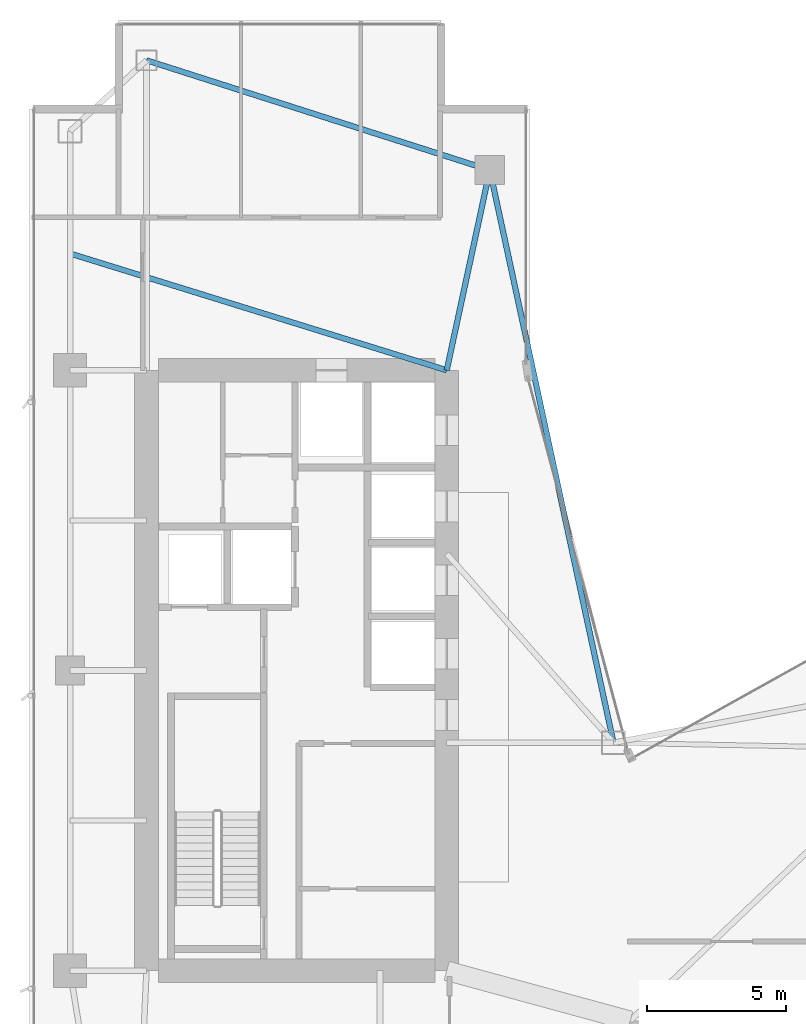
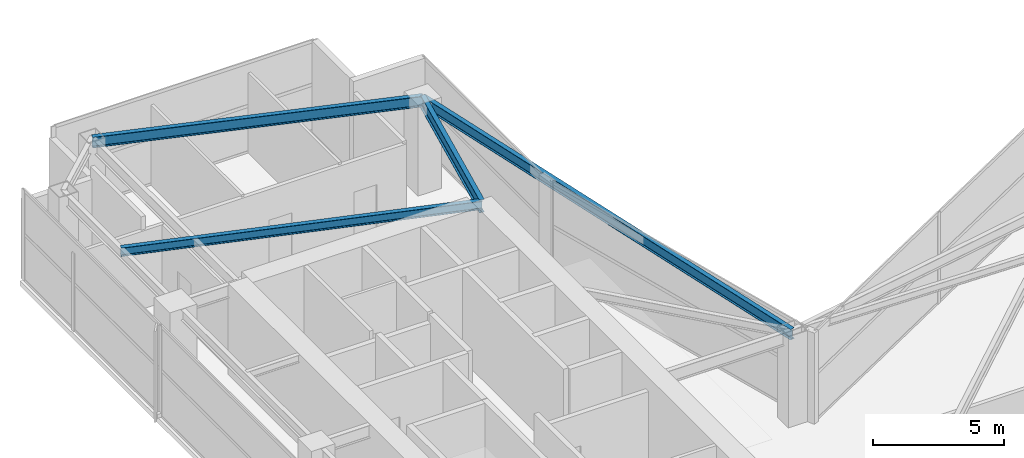
# One storey, part 16 of 26: 4 beams.
"""IFC4 building model written with IfcOpenShell, lengths in metres."""

import ifcopenshell
import ifcopenshell.guid

model = None  # the IFC model being written
_history = None  # IfcOwnerHistory: only IFC2X3 demands one
_inside = {}  # id of a spatial element -> (the spatial element, [elements in it])
_under = {}  # id of a project, library or spatial element -> (it, [spatial elements below it])
_declared = {}  # id of a project -> (the project, [libraries it declares])
_typed = {}  # id of a type object -> (the type object, [elements of that type])
_made_of = {}  # id of a material, layer set ... -> (it, [elements and type objects made of it])


def new_model(schema):
    """Start an empty IFC model of exactly this schema.

    Asked for "IFC4X3", IfcOpenShell would pick the latest addendum, in which some entities
    have other attributes; the version numbers below select the first issue.
    IFC2X3 requires an IfcOwnerHistory on every rooted entity: one is made here for all.
    """
    global model, _history
    if schema == "IFC4X3":
        model = ifcopenshell.file(schema_version=(4, 3, 0, 0))
    else:
        model = ifcopenshell.file(schema=schema)
    _inside.clear()
    _under.clear()
    _declared.clear()
    _typed.clear()
    _made_of.clear()
    _history = None
    if model.schema == "IFC2X3":
        org = make("IfcOrganization", Name="unknown")
        user = make(
            "IfcPersonAndOrganization",
            ThePerson=make("IfcPerson", FamilyName="unknown"),
            TheOrganization=org,
        )
        app = make(
            "IfcApplication",
            ApplicationDeveloper=org,
            Version="unknown",
            ApplicationFullName="unknown",
            ApplicationIdentifier="unknown",
        )
        _history = make(
            "IfcOwnerHistory",
            OwningUser=user,
            OwningApplication=app,
            ChangeAction="ADDED",
            CreationDate=0,
        )
    return model


def make(cls, **values):
    """One entity of the class cls with the attributes given. An attribute that is None is left unset."""
    return model.create_entity(
        cls, **{name: value for name, value in values.items() if value is not None}
    )


def rooted(cls, **values):
    """An entity with a GlobalId (a new one), such as an element, a storey or a relation."""
    return make(cls, GlobalId=ifcopenshell.guid.new(), OwnerHistory=_history, **values)


def si_unit(unit_type, name, prefix=None):
    """IfcSIUnit, for example si_unit("LENGTHUNIT", "METRE", prefix="MILLI")."""
    return make("IfcSIUnit", UnitType=unit_type, Prefix=prefix, Name=name)


def assignment(units):
    """IfcUnitAssignment: the units of a project."""
    return None if units is None else make("IfcUnitAssignment", Units=units)


def point(xyz):
    """IfcCartesianPoint."""
    return None if xyz is None else make("IfcCartesianPoint", Coordinates=xyz)


def direction(xyz):
    """IfcDirection."""
    return None if xyz is None else make("IfcDirection", DirectionRatios=xyz)


def frame(location, z_axis=None, x_axis=None):
    """IfcAxis2Placement3D, a coordinate frame: its origin and axes. An axis left out is left unset."""
    return make(
        "IfcAxis2Placement3D",
        Location=point(location),
        Axis=direction(z_axis),
        RefDirection=direction(x_axis),
    )


def frame_2d(location, x_axis=None):
    """IfcAxis2Placement2D, a coordinate frame in the plane: its origin and x axis."""
    return make(
        "IfcAxis2Placement2D", Location=point(location), RefDirection=direction(x_axis)
    )


def origin():
    """The frame at (0, 0, 0) with its axes left unset."""
    return frame((0.0, 0.0, 0.0))


def origin_2d():
    """The frame at (0, 0) in the plane with its x axis left unset."""
    return frame_2d((0.0, 0.0))


def place(relative_to, where):
    """IfcLocalPlacement: puts the frame where relative to a parent placement (None: the world)."""
    return make(
        "IfcLocalPlacement", PlacementRelTo=relative_to, RelativePlacement=where
    )


def context(
    kind, dimensions, precision=None, world=None, true_north=None, identifier=None
):
    """IfcGeometricRepresentationContext, for example the 3D "Model" context."""
    return make(
        "IfcGeometricRepresentationContext",
        ContextIdentifier=identifier,
        ContextType=kind,
        CoordinateSpaceDimension=dimensions,
        Precision=precision,
        WorldCoordinateSystem=world,
        TrueNorth=true_north,
    )


def subcontext(parent, identifier, kind, view, scale=None):
    """IfcGeometricRepresentationSubContext, for example "Body" below "Model"."""
    return make(
        "IfcGeometricRepresentationSubContext",
        ContextIdentifier=identifier,
        ContextType=kind,
        ParentContext=parent,
        TargetScale=scale,
        TargetView=view,
    )


def project(units=None, contexts=None):
    """IfcProject with its units and contexts."""
    return rooted(
        "IfcProject",
        Name="project",
        RepresentationContexts=contexts,
        UnitsInContext=assignment(units),
    )


def spatial(cls, under=None, at=None, **own):
    """A site, building, storey or space (cls), placed at a placement, below another one or the project."""
    s = rooted(cls, ObjectPlacement=at, **own)
    if under is not None:
        _under.setdefault(under.id(), (under, []))[1].append(s)
    return s


def profile(cls, at=None, kind="AREA", **sizes):
    """A parametric profile (cls). Its sizes go by their IFC names, for example OverallWidth=200.0."""
    return make(cls, ProfileType=kind, Position=at, **sizes)


def i_section(**sizes):
    """IfcIShapeProfileDef."""
    return profile("IfcIShapeProfileDef", **sizes)


def extrude(swept, where, along, depth):
    """IfcExtrudedAreaSolid: the profile swept, set in the frame where, extruded along a direction by depth."""
    return make(
        "IfcExtrudedAreaSolid",
        SweptArea=swept,
        Position=where,
        ExtrudedDirection=direction(along),
        Depth=depth,
    )


def shape(context_of_items, identifier, shape_type, items):
    """IfcShapeRepresentation: the items that make up one representation, for example the "Body"."""
    return make(
        "IfcShapeRepresentation",
        ContextOfItems=context_of_items,
        RepresentationIdentifier=identifier,
        RepresentationType=shape_type,
        Items=items,
    )


def material(Name=None, Category=None):
    """IfcMaterial."""
    return make("IfcMaterial", Name=Name, Category=Category)


def material_profile(
    of_material, cross_section, Name=None, Category=None, Priority=None
):
    """IfcMaterialProfile: a cross section and its material."""
    return make(
        "IfcMaterialProfile",
        Name=Name,
        Material=of_material,
        Profile=cross_section,
        Priority=Priority,
        Category=Category,
    )


def profile_set(profiles, Name=None, composite=None):
    """IfcMaterialProfileSet."""
    return make(
        "IfcMaterialProfileSet",
        Name=Name,
        MaterialProfiles=profiles,
        CompositeProfile=composite,
    )


def made_of(thing, what):
    """Note that an element or type object is made of a material, layer set ...; save() writes the relation."""
    if what is not None:
        _made_of.setdefault(what.id(), (what, []))[1].append(thing)
    return thing


def type_object(cls, material=None, **own):
    """A type object (cls), such as IfcWallType, which elements share."""
    return made_of(rooted(cls, **own), material)


def element(
    cls,
    number,
    at=None,
    inside=None,
    cuts=None,
    type_object=None,
    material=None,
    context=None,
    identifier="Body",
    shape_type=None,
    held_by="IfcProductDefinitionShape",
    body=None,
    shapes=None,
    **own,
):
    """One element of the class cls, such as IfcWall. Its Tag is "e" and its number.

    at: its placement. inside: the storey or other place that contains it. cuts: it is an
    opening in that element (IfcRelVoidsElement). A single representation is given by context,
    identifier, shape_type and body (its items); several are given by shapes. held_by: the class
    of the entity that holds the representations. save() writes the other relations.
    """
    e = rooted(cls, Tag="e%d" % number, ObjectPlacement=at, **own)
    if body is not None:
        shapes = [shape(context, identifier, shape_type, body)]
    if shapes is not None:
        e.Representation = make(held_by, Representations=shapes)
    if inside is not None:
        _inside.setdefault(inside.id(), (inside, []))[1].append(e)
    if cuts is not None:
        rooted(
            "IfcRelVoidsElement", RelatingBuildingElement=cuts, RelatedOpeningElement=e
        )
    if type_object is not None:
        _typed.setdefault(type_object.id(), (type_object, []))[1].append(e)
    return made_of(e, material)


def aggregate(whole, parts):
    """IfcRelAggregates: a whole, such as a stair, and the parts it consists of."""
    return rooted("IfcRelAggregates", RelatingObject=whole, RelatedObjects=parts)


def save(model, path):
    """Write the relations noted so far, then the file.

    IfcRelAggregates (storeys below a building ...), IfcRelContainedInSpatialStructure (elements
    in a storey), IfcRelDefinesByType, IfcRelAssociatesMaterial and IfcRelDeclares: one each for
    every whole, place, type object, material and project.
    """
    for whole, parts in _under.values():
        aggregate(whole, parts)
    for where, things in _inside.values():
        rooted(
            "IfcRelContainedInSpatialStructure",
            RelatedElements=things,
            RelatingStructure=where,
        )
    for kind, things in _typed.values():
        rooted("IfcRelDefinesByType", RelatedObjects=things, RelatingType=kind)
    for what, things in _made_of.values():
        rooted("IfcRelAssociatesMaterial", RelatedObjects=things, RelatingMaterial=what)
    for by, libraries in _declared.values():
        rooted("IfcRelDeclares", RelatingContext=by, RelatedDefinitions=libraries)
    model.write(path)


model = new_model("IFC4")

# Units and contexts
model_context = context("Model", 3, precision=1e-05, world=origin(), true_north=direction((0.0, 1.0)))
body_context = subcontext(model_context, "Body", "Model", "MODEL_VIEW")
ifc_project = project(units=[si_unit("LENGTHUNIT", "METRE"), si_unit("AREAUNIT", "SQUARE_METRE"), si_unit("VOLUMEUNIT", "CUBIC_METRE"), si_unit("PLANEANGLEUNIT", "RADIAN"), si_unit("MASSUNIT", "GRAM", prefix="KILO")], contexts=[model_context])

# Site, building, storey
site_placement = place(None, origin())
site = spatial("IfcSite", under=ifc_project, at=site_placement, CompositionType="ELEMENT")
building_placement = place(site_placement, origin())
building = spatial("IfcBuilding", under=site, at=building_placement, Name="Calvorn Quay Hotel", CompositionType="ELEMENT")
storey_placement = place(building_placement, frame((0.0, 0.0, 144.0)))
storey = spatial("IfcBuildingStorey", under=building, at=storey_placement, Name="L35", CompositionType="ELEMENT", Elevation=144.0)

# Beams
ifc_material_1 = material(Name="Steel Q355B", Category="steel")
ifc_material_profile_1 = material_profile(ifc_material_1, i_section(OverallWidth=0.199951171875, OverallDepth=0.60009765625, WebThickness=0.010986328125, FlangeThickness=0.01708984375, FilletRadius=0.01806640625, at=origin_2d()), Name="HN600x200x11x17")
ifc_profile_set_1 = profile_set([ifc_material_profile_1], Name="Steel Q355B")
beam_type_1 = type_object("IfcBeamType", Name="BM-GIRD-TYP", PredefinedType="BEAM", material=ifc_profile_set_1)
beam_1_placement = place(storey_placement, frame((16.550048828125, 45.60009765625, 3.93994140625), z_axis=(-0.210457140491, -0.97760308511, 0.0), x_axis=(0.97760308511, -0.210457140491, 0.0)))
element("IfcBeam", 1, at=beam_1_placement, inside=storey, type_object=beam_type_1, Name="Beam BG-L35-W6", PredefinedType="BEAM", context=body_context, shape_type="SweptSolid", body=[
    extrude(i_section(OverallWidth=0.199951171875, OverallDepth=0.60009765625, WebThickness=0.010986328125, FlangeThickness=0.01708984375, FilletRadius=0.01806640625, at=origin_2d()), origin(), (0.0, 0.0, 1.0), 7.365234375),
])
ifc_material_2 = material(Name="Steel Q355B", Category="steel")
ifc_material_profile_2 = material_profile(ifc_material_2, i_section(OverallWidth=0.199951171875, OverallDepth=0.39990234375, WebThickness=0.008056640625, FlangeThickness=0.012939453125, FilletRadius=0.01611328125, at=origin_2d()), Name="HN400x200x8x13")
ifc_profile_set_2 = profile_set([ifc_material_profile_2], Name="Steel Q355B")
beam_type_2 = type_object("IfcBeamType", Name="BM-JOIST-TYP", PredefinedType="JOIST", material=ifc_profile_set_2)
beam_2_placement = place(storey_placement, frame((1.449951171875, 42.60009765625, 4.0400390625), z_axis=(0.955163702122, -0.296078202759, 0.0), x_axis=(0.296078202759, 0.955163702122, 0.0)))
element("IfcBeam", 2, at=beam_2_placement, inside=storey, type_object=beam_type_2, Name="Beam BJ-L35-W2", PredefinedType="JOIST", context=body_context, shape_type="SweptSolid", body=[
    extrude(i_section(OverallWidth=0.199951171875, OverallDepth=0.39990234375, WebThickness=0.008056640625, FlangeThickness=0.012939453125, FilletRadius=0.01611328125, at=origin_2d()), origin(), (0.0, 0.0, 1.0), 14.18603515625),
])
ifc_material_3 = material(Name="Steel Q355B", Category="steel")
ifc_material_profile_3 = material_profile(ifc_material_3, i_section(OverallWidth=0.199951171875, OverallDepth=0.5, WebThickness=0.010009765625, FlangeThickness=0.01611328125, FilletRadius=0.01611328125, at=origin_2d()), Name="HN500x200x10x16")
ifc_profile_set_3 = profile_set([ifc_material_profile_3], Name="Steel Q355B")
beam_type_3 = type_object("IfcBeamType", Name="BM-SPANDREL-Z1", PredefinedType="SPANDREL", material=ifc_profile_set_3)
beam_3_placement = place(storey_placement, frame((4.199951171875, 49.550048828125, 3.989990234375), z_axis=(0.952470702374, -0.304630203885, 0.0), x_axis=(0.304630203885, 0.952470702374, 0.0)))
element("IfcBeam", 3, at=beam_3_placement, inside=storey, type_object=beam_type_3, Name="Beam BSP-L35-W6", PredefinedType="SPANDREL", context=body_context, shape_type="SweptSolid", body=[
    extrude(i_section(OverallWidth=0.199951171875, OverallDepth=0.5, WebThickness=0.010009765625, FlangeThickness=0.01611328125, FilletRadius=0.01611328125, at=origin_2d()), origin(), (0.0, 0.0, 1.0), 12.96630859375),
])
beam_4_placement = place(storey_placement, frame((16.550048828125, 45.60009765625, 3.989990234375), z_axis=(0.211145848376, -0.977454567084, 0.0), x_axis=(0.977454567084, 0.211145848376, 0.0)))
element("IfcBeam", 4, at=beam_4_placement, inside=storey, type_object=beam_type_3, Name="Beam BSP-L35-W7", PredefinedType="SPANDREL", context=body_context, shape_type="SweptSolid", body=[
    extrude(i_section(OverallWidth=0.199951171875, OverallDepth=0.5, WebThickness=0.010009765625, FlangeThickness=0.01611328125, FilletRadius=0.01611328125, at=origin_2d()), origin(), (0.0, 0.0, 1.0), 21.0751953125),
])

save(model, "model.ifc")
